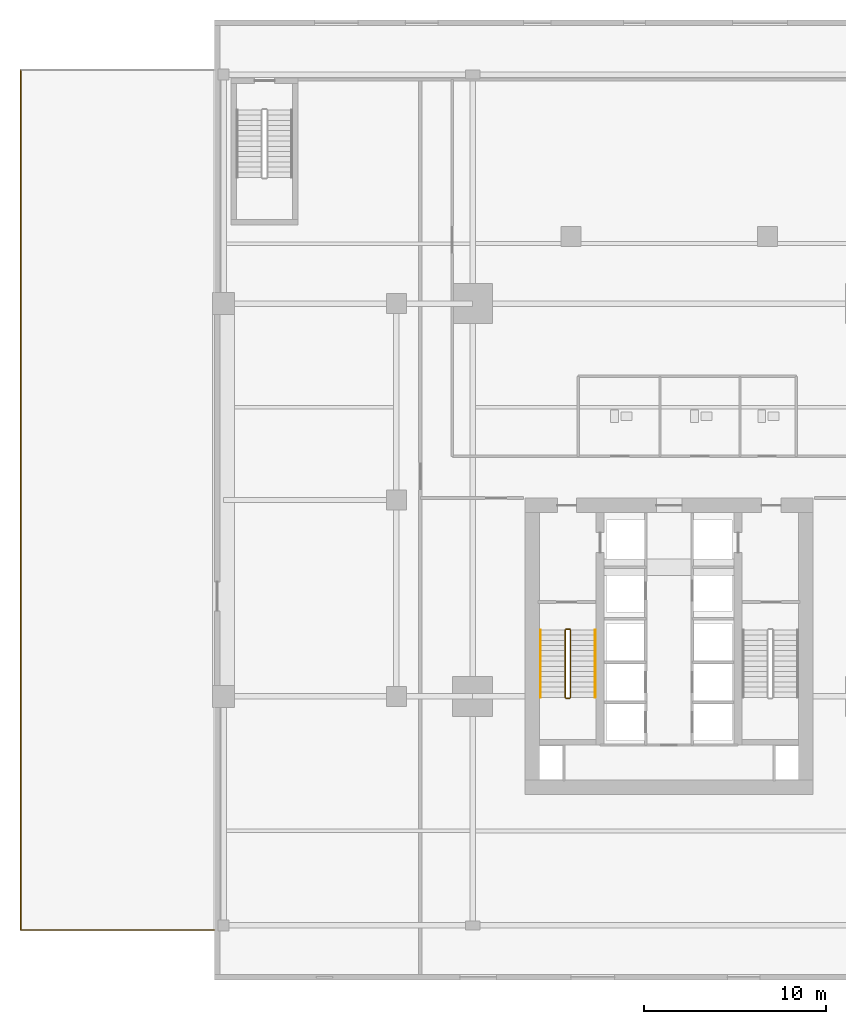
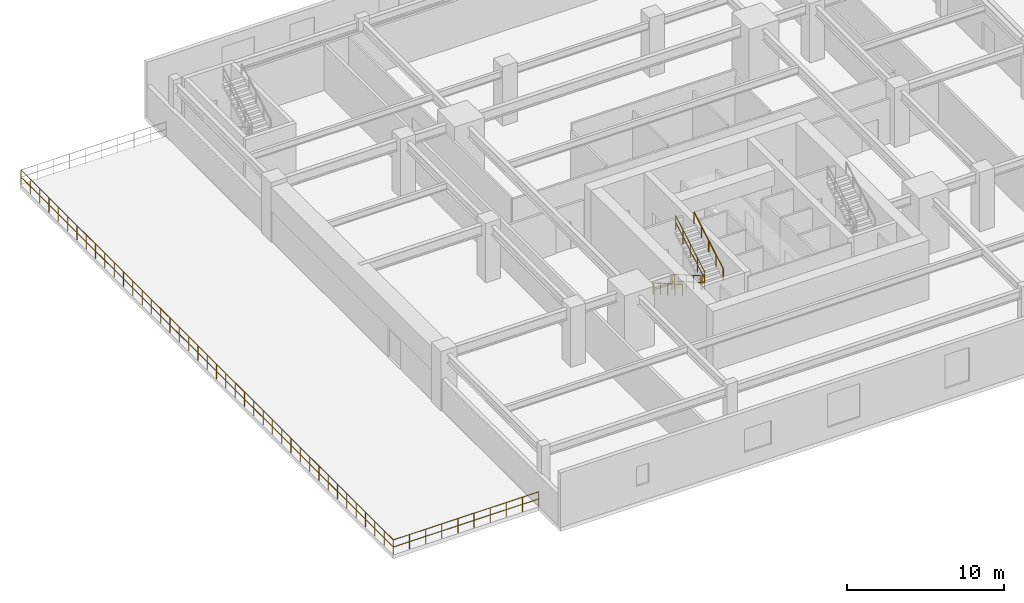
# One storey, part 5 of 9: 8 railings.
"""IFC4 building model written with IfcOpenShell, lengths in metres."""

from ifc_helpers import new_model, si_unit, direction, frame, origin, origin_2d, place, context, subcontext, project, spatial, circle, extrude, material, layer, layer_set, type_object, element, save


model = new_model("IFC4")

# Units and contexts
model_context = context("Model", 3, precision=1e-05, world=origin(), true_north=direction((0.0, 1.0)))
body_context = subcontext(model_context, "Body", "Model", "MODEL_VIEW")
ifc_project = project(units=[si_unit("LENGTHUNIT", "METRE"), si_unit("AREAUNIT", "SQUARE_METRE"), si_unit("VOLUMEUNIT", "CUBIC_METRE"), si_unit("PLANEANGLEUNIT", "RADIAN"), si_unit("MASSUNIT", "GRAM", prefix="KILO")], contexts=[model_context])

# Site, building, storey
site_placement = place(None, origin())
site = spatial("IfcSite", under=ifc_project, at=site_placement, CompositionType="ELEMENT")
building_placement = place(site_placement, origin())
building = spatial("IfcBuilding", under=site, at=building_placement, Name="Krantzveldt Concourse Tower", CompositionType="ELEMENT")
storey_placement = place(building_placement, frame((0.0, 0.0, 15.39990234375)))
storey = spatial("IfcBuildingStorey", under=building, at=storey_placement, Name="L03", CompositionType="ELEMENT", Elevation=15.39990234375)

# Railings
ifc_material = material(Name="Stainless steel 316L", Category="steel")
ifc_layer_1 = layer(ifc_material, 0.080078125, Name="Stainless steel 316L", Category="steel")
ifc_layer_set_1 = layer_set([ifc_layer_1], Name="Stainless steel 316L (RL-BALUSTRADE-1150)")
railing_type_1 = type_object("IfcRailingType", Name="RL-BALUSTRADE-1150", PredefinedType="BALUSTRADE", material=ifc_layer_set_1)
railing_1_placement = place(storey_placement, frame((11.0, 3.050048828125, 0.0)))
element("IfcRailing", 1, at=railing_1_placement, inside=storey, type_object=railing_type_1, Name="GD-L03-TW-01", PredefinedType="BALUSTRADE", context=body_context, shape_type="SweptSolid", body=[
    extrude(circle(Radius=0.02392578125, at=origin_2d()), frame((0.0, 0.0, 1.1259765625), z_axis=(-1.0, 0.0, 0.0), x_axis=(0.0, -1.0, 0.0)), (0.0, 0.0, 1.0), 10.64990234375),
    extrude(circle(Radius=0.02392578125, at=origin_2d()), frame((0.0, 0.0, 0.574951171875), z_axis=(-1.0, 0.0, 0.0), x_axis=(0.0, -1.0, 0.0)), (0.0, 0.0, 1.0), 10.64990234375),
    extrude(circle(Radius=0.02099609375, at=origin_2d()), origin(), (0.0, 0.0, 1.0), 1.101806640625),
    extrude(circle(Radius=0.02099609375, at=origin_2d()), frame((-1.183349609375, 0.0, 0.0)), (0.0, 0.0, 1.0), 1.101806640625),
    extrude(circle(Radius=0.02099609375, at=origin_2d()), frame((-2.36669921875, 0.0, 0.0)), (0.0, 0.0, 1.0), 1.101806640625),
    extrude(circle(Radius=0.02099609375, at=origin_2d()), frame((-3.550048828125, 0.0, 0.0)), (0.0, 0.0, 1.0), 1.101806640625),
    extrude(circle(Radius=0.02099609375, at=origin_2d()), frame((-4.7333984375, 0.0, 0.0)), (0.0, 0.0, 1.0), 1.101806640625),
    extrude(circle(Radius=0.02099609375, at=origin_2d()), frame((-5.91650390625, 0.0, 0.0)), (0.0, 0.0, 1.0), 1.101806640625),
    extrude(circle(Radius=0.02099609375, at=origin_2d()), frame((-7.099853515625, 0.0, 0.0)), (0.0, 0.0, 1.0), 1.101806640625),
    extrude(circle(Radius=0.02099609375, at=origin_2d()), frame((-8.283203125, 0.0, 0.0)), (0.0, 0.0, 1.0), 1.101806640625),
    extrude(circle(Radius=0.02099609375, at=origin_2d()), frame((-9.466552734375, 0.0, 0.0)), (0.0, 0.0, 1.0), 1.101806640625),
    extrude(circle(Radius=0.02099609375, at=origin_2d()), frame((-10.64990234375, 0.0, 0.0)), (0.0, 0.0, 1.0), 1.101806640625),
])
railing_2_placement = place(storey_placement, frame((0.35009765625, 3.050048828125, 0.0)))
element("IfcRailing", 2, at=railing_2_placement, inside=storey, type_object=railing_type_1, Name="GD-L03-TW-02", PredefinedType="BALUSTRADE", context=body_context, shape_type="SweptSolid", body=[
    extrude(circle(Radius=0.02392578125, at=origin_2d()), frame((0.0, 0.0, 1.1259765625), z_axis=(0.0, 1.0, 0.0), x_axis=(-1.0, 0.0, 0.0)), (0.0, 0.0, 1.0), 47.300048828125),
    extrude(circle(Radius=0.02392578125, at=origin_2d()), frame((0.0, 0.0, 0.574951171875), z_axis=(0.0, 1.0, 0.0), x_axis=(-1.0, 0.0, 0.0)), (0.0, 0.0, 1.0), 47.300048828125),
    extrude(circle(Radius=0.02099609375, at=origin_2d()), origin(), (0.0, 0.0, 1.0), 1.101806640625),
    extrude(circle(Radius=0.02099609375, at=origin_2d()), frame((0.0, 1.1826171875, 0.0)), (0.0, 0.0, 1.0), 1.101806640625),
    extrude(circle(Radius=0.02099609375, at=origin_2d()), frame((0.0, 2.364990234375, 0.0)), (0.0, 0.0, 1.0), 1.101806640625),
    extrude(circle(Radius=0.02099609375, at=origin_2d()), frame((0.0, 3.547607421875, 0.0)), (0.0, 0.0, 1.0), 1.101806640625),
    extrude(circle(Radius=0.02099609375, at=origin_2d()), frame((0.0, 4.72998046875, 0.0)), (0.0, 0.0, 1.0), 1.101806640625),
    extrude(circle(Radius=0.02099609375, at=origin_2d()), frame((0.0, 5.91259765625, 0.0)), (0.0, 0.0, 1.0), 1.101806640625),
    extrude(circle(Radius=0.02099609375, at=origin_2d()), frame((0.0, 7.094970703125, 0.0)), (0.0, 0.0, 1.0), 1.101806640625),
    extrude(circle(Radius=0.02099609375, at=origin_2d()), frame((0.0, 8.277587890625, 0.0)), (0.0, 0.0, 1.0), 1.101806640625),
    extrude(circle(Radius=0.02099609375, at=origin_2d()), frame((0.0, 9.4599609375, 0.0)), (0.0, 0.0, 1.0), 1.101806640625),
    extrude(circle(Radius=0.02099609375, at=origin_2d()), frame((0.0, 10.642578125, 0.0)), (0.0, 0.0, 1.0), 1.101806640625),
    extrude(circle(Radius=0.02099609375, at=origin_2d()), frame((0.0, 11.824951171875, 0.0)), (0.0, 0.0, 1.0), 1.101806640625),
    extrude(circle(Radius=0.02099609375, at=origin_2d()), frame((0.0, 13.007568359375, 0.0)), (0.0, 0.0, 1.0), 1.101806640625),
    extrude(circle(Radius=0.02099609375, at=origin_2d()), frame((0.0, 14.18994140625, 0.0)), (0.0, 0.0, 1.0), 1.101806640625),
    extrude(circle(Radius=0.02099609375, at=origin_2d()), frame((0.0, 15.37255859375, 0.0)), (0.0, 0.0, 1.0), 1.101806640625),
    extrude(circle(Radius=0.02099609375, at=origin_2d()), frame((0.0, 16.554931640625, 0.0)), (0.0, 0.0, 1.0), 1.101806640625),
    extrude(circle(Radius=0.02099609375, at=origin_2d()), frame((0.0, 17.737548828125, 0.0)), (0.0, 0.0, 1.0), 1.101806640625),
    extrude(circle(Radius=0.02099609375, at=origin_2d()), frame((0.0, 18.919921875, 0.0)), (0.0, 0.0, 1.0), 1.101806640625),
    extrude(circle(Radius=0.02099609375, at=origin_2d()), frame((0.0, 20.1025390625, 0.0)), (0.0, 0.0, 1.0), 1.101806640625),
    extrude(circle(Radius=0.02099609375, at=origin_2d()), frame((0.0, 21.284912109375, 0.0)), (0.0, 0.0, 1.0), 1.101806640625),
    extrude(circle(Radius=0.02099609375, at=origin_2d()), frame((0.0, 22.467529296875, 0.0)), (0.0, 0.0, 1.0), 1.101806640625),
    extrude(circle(Radius=0.02099609375, at=origin_2d()), frame((0.0, 23.64990234375, 0.0)), (0.0, 0.0, 1.0), 1.101806640625),
    extrude(circle(Radius=0.02099609375, at=origin_2d()), frame((0.0, 24.83251953125, 0.0)), (0.0, 0.0, 1.0), 1.101806640625),
    extrude(circle(Radius=0.02099609375, at=origin_2d()), frame((0.0, 26.01513671875, 0.0)), (0.0, 0.0, 1.0), 1.101806640625),
    extrude(circle(Radius=0.02099609375, at=origin_2d()), frame((0.0, 27.197509765625, 0.0)), (0.0, 0.0, 1.0), 1.101806640625),
    extrude(circle(Radius=0.02099609375, at=origin_2d()), frame((0.0, 28.380126953125, 0.0)), (0.0, 0.0, 1.0), 1.101806640625),
    extrude(circle(Radius=0.02099609375, at=origin_2d()), frame((0.0, 29.5625, 0.0)), (0.0, 0.0, 1.0), 1.101806640625),
    extrude(circle(Radius=0.02099609375, at=origin_2d()), frame((0.0, 30.7451171875, 0.0)), (0.0, 0.0, 1.0), 1.101806640625),
    extrude(circle(Radius=0.02099609375, at=origin_2d()), frame((0.0, 31.927490234375, 0.0)), (0.0, 0.0, 1.0), 1.101806640625),
    extrude(circle(Radius=0.02099609375, at=origin_2d()), frame((0.0, 33.110107421875, 0.0)), (0.0, 0.0, 1.0), 1.101806640625),
    extrude(circle(Radius=0.02099609375, at=origin_2d()), frame((0.0, 34.29248046875, 0.0)), (0.0, 0.0, 1.0), 1.101806640625),
    extrude(circle(Radius=0.02099609375, at=origin_2d()), frame((0.0, 35.47509765625, 0.0)), (0.0, 0.0, 1.0), 1.101806640625),
    extrude(circle(Radius=0.02099609375, at=origin_2d()), frame((0.0, 36.657470703125, 0.0)), (0.0, 0.0, 1.0), 1.101806640625),
    extrude(circle(Radius=0.02099609375, at=origin_2d()), frame((0.0, 37.840087890625, 0.0)), (0.0, 0.0, 1.0), 1.101806640625),
    extrude(circle(Radius=0.02099609375, at=origin_2d()), frame((0.0, 39.0224609375, 0.0)), (0.0, 0.0, 1.0), 1.101806640625),
    extrude(circle(Radius=0.02099609375, at=origin_2d()), frame((0.0, 40.205078125, 0.0)), (0.0, 0.0, 1.0), 1.101806640625),
    extrude(circle(Radius=0.02099609375, at=origin_2d()), frame((0.0, 41.387451171875, 0.0)), (0.0, 0.0, 1.0), 1.101806640625),
    extrude(circle(Radius=0.02099609375, at=origin_2d()), frame((0.0, 42.570068359375, 0.0)), (0.0, 0.0, 1.0), 1.101806640625),
    extrude(circle(Radius=0.02099609375, at=origin_2d()), frame((0.0, 43.75244140625, 0.0)), (0.0, 0.0, 1.0), 1.101806640625),
    extrude(circle(Radius=0.02099609375, at=origin_2d()), frame((0.0, 44.93505859375, 0.0)), (0.0, 0.0, 1.0), 1.101806640625),
    extrude(circle(Radius=0.02099609375, at=origin_2d()), frame((0.0, 46.117431640625, 0.0)), (0.0, 0.0, 1.0), 1.101806640625),
    extrude(circle(Radius=0.02099609375, at=origin_2d()), frame((0.0, 47.300048828125, 0.0)), (0.0, 0.0, 1.0), 1.101806640625),
])
ifc_layer_2 = layer(ifc_material, 0.06005859375, Name="Stainless steel 316L", Category="steel")
ifc_layer_set_2 = layer_set([ifc_layer_2], Name="Stainless steel 316L (RL-GUARD-1120)")
railing_type_2 = type_object("IfcRailingType", Name="RL-GUARD-1120", PredefinedType="GUARDRAIL", material=ifc_layer_set_2)
railing_3_placement = place(storey_placement, frame((30.280029296875, 19.550048828125, 0.164306640625)))
element("IfcRailing", 3, at=railing_3_placement, inside=storey, type_object=railing_type_2, Name="L03 ST-1 stair guard 1", PredefinedType="GUARDRAIL", context=body_context, shape_type="SweptSolid", body=[
    extrude(circle(Radius=0.02392578125, at=origin_2d()), frame((0.0, 0.0, 1.076171875), z_axis=(0.0, -0.866368007254, 0.499406123317), x_axis=(1.0, 0.0, 0.0)), (0.0, 0.0, 1.0), 4.276611328125),
    extrude(circle(Radius=0.02392578125, at=origin_2d()), frame((0.0, 0.0, 0.550048828125), z_axis=(0.0, -0.866368007254, 0.499406123317), x_axis=(1.0, 0.0, 0.0)), (0.0, 0.0, 1.0), 4.276611328125),
    extrude(circle(Radius=0.02099609375, at=origin_2d()), origin(), (0.0, 0.0, 1.0), 1.052001953125),
    extrude(circle(Radius=0.02099609375, at=origin_2d()), frame((0.0, -0.92626953125, 0.533935546875)), (0.0, 0.0, 1.0), 1.052001953125),
    extrude(circle(Radius=0.02099609375, at=origin_2d()), frame((0.0, -1.8525390625, 1.06787109375)), (0.0, 0.0, 1.0), 1.052001953125),
    extrude(circle(Radius=0.02099609375, at=origin_2d()), frame((0.0, -2.77880859375, 1.601806640625)), (0.0, 0.0, 1.0), 1.052001953125),
    extrude(circle(Radius=0.02099609375, at=origin_2d()), frame((0.0, -3.705078125, 2.1357421875)), (0.0, 0.0, 1.0), 1.052001953125),
])
railing_4_placement = place(storey_placement, frame((30.330078125, 15.794921875, 2.300048828125)))
element("IfcRailing", 4, at=railing_4_placement, inside=storey, type_object=railing_type_2, Name="L03 ST-1 stair guard 2", PredefinedType="GUARDRAIL", context=body_context, shape_type="SweptSolid", body=[
    extrude(circle(Radius=0.02392578125, at=origin_2d()), frame((0.0, 0.0, 1.076171875), z_axis=(1.0, 0.0, 0.0), x_axis=(0.0, 1.0, 0.0)), (0.0, 0.0, 1.0), 0.199951171875),
    extrude(circle(Radius=0.02392578125, at=origin_2d()), frame((0.0, 0.0, 0.550048828125), z_axis=(1.0, 0.0, 0.0), x_axis=(0.0, 1.0, 0.0)), (0.0, 0.0, 1.0), 0.199951171875),
    extrude(circle(Radius=0.02099609375, at=origin_2d()), origin(), (0.0, 0.0, 1.0), 1.052001953125),
    extrude(circle(Radius=0.02099609375, at=origin_2d()), frame((0.199951171875, 0.0, 0.0)), (0.0, 0.0, 1.0), 1.052001953125),
])
railing_5_placement = place(storey_placement, frame((30.580078125, 15.844970703125, 2.46435546875)))
element("IfcRailing", 5, at=railing_5_placement, inside=storey, type_object=railing_type_2, Name="L03 ST-1 stair guard 3", PredefinedType="GUARDRAIL", context=body_context, shape_type="SweptSolid", body=[
    extrude(circle(Radius=0.02392578125, at=origin_2d()), frame((0.0, 0.0, 1.076171875), z_axis=(0.0, 0.866368007254, 0.499406123317), x_axis=(-1.0, 0.0, 0.0)), (0.0, 0.0, 1.0), 4.276611328125),
    extrude(circle(Radius=0.02392578125, at=origin_2d()), frame((0.0, 0.0, 0.550048828125), z_axis=(0.0, 0.866368007254, 0.499406123317), x_axis=(-1.0, 0.0, 0.0)), (0.0, 0.0, 1.0), 4.276611328125),
    extrude(circle(Radius=0.02099609375, at=origin_2d()), origin(), (0.0, 0.0, 1.0), 1.052001953125),
    extrude(circle(Radius=0.02099609375, at=origin_2d()), frame((0.0, 0.92626953125, 0.533935546875)), (0.0, 0.0, 1.0), 1.052001953125),
    extrude(circle(Radius=0.02099609375, at=origin_2d()), frame((0.0, 1.8525390625, 1.06787109375)), (0.0, 0.0, 1.0), 1.052001953125),
    extrude(circle(Radius=0.02099609375, at=origin_2d()), frame((0.0, 2.77880859375, 1.601806640625)), (0.0, 0.0, 1.0), 1.052001953125),
    extrude(circle(Radius=0.02099609375, at=origin_2d()), frame((0.0, 3.705078125, 2.1357421875)), (0.0, 0.0, 1.0), 1.052001953125),
])
railing_6_placement = place(storey_placement, frame((30.330078125, 19.60009765625, 0.0)))
element("IfcRailing", 6, at=railing_6_placement, inside=storey, type_object=railing_type_2, Name="L03 ST-1 stair guard 4", PredefinedType="GUARDRAIL", context=body_context, shape_type="SweptSolid", body=[
    extrude(circle(Radius=0.02392578125, at=origin_2d()), frame((0.0, 0.0, 1.076171875), z_axis=(1.0, 0.0, 0.0), x_axis=(0.0, 1.0, 0.0)), (0.0, 0.0, 1.0), 0.199951171875),
    extrude(circle(Radius=0.02392578125, at=origin_2d()), frame((0.0, 0.0, 0.550048828125), z_axis=(1.0, 0.0, 0.0), x_axis=(0.0, 1.0, 0.0)), (0.0, 0.0, 1.0), 0.199951171875),
    extrude(circle(Radius=0.02099609375, at=origin_2d()), origin(), (0.0, 0.0, 1.0), 1.052001953125),
    extrude(circle(Radius=0.02099609375, at=origin_2d()), frame((0.199951171875, 0.0, 0.0)), (0.0, 0.0, 1.0), 1.052001953125),
])
ifc_layer_3 = layer(ifc_material, 0.050048828125, Name="Stainless steel 316L", Category="steel")
ifc_layer_set_3 = layer_set([ifc_layer_3], Name="Stainless steel 316L (RL-HANDRAIL-920)")
railing_type_3 = type_object("IfcRailingType", Name="RL-HANDRAIL-920", PredefinedType="HANDRAIL", material=ifc_layer_set_3)
railing_7_placement = place(storey_placement, frame((28.929931640625, 19.550048828125, 0.164306640625)))
element("IfcRailing", 7, at=railing_7_placement, inside=storey, type_object=railing_type_3, Name="L03 ST-1 stair handrail 1", PredefinedType="HANDRAIL", context=body_context, shape_type="SweptSolid", body=[
    extrude(circle(Radius=0.02392578125, at=origin_2d()), frame((0.0, 0.0, 0.8759765625), z_axis=(0.0, -0.866368007254, 0.499406123317), x_axis=(1.0, 0.0, 0.0)), (0.0, 0.0, 1.0), 4.276611328125),
    extrude(circle(Radius=0.02099609375, at=origin_2d()), origin(), (0.0, 0.0, 1.0), 0.851806640625),
    extrude(circle(Radius=0.02099609375, at=origin_2d()), frame((0.0, -0.92626953125, 0.533935546875)), (0.0, 0.0, 1.0), 0.851806640625),
    extrude(circle(Radius=0.02099609375, at=origin_2d()), frame((0.0, -1.8525390625, 1.06787109375)), (0.0, 0.0, 1.0), 0.851806640625),
    extrude(circle(Radius=0.02099609375, at=origin_2d()), frame((0.0, -2.77880859375, 1.601806640625)), (0.0, 0.0, 1.0), 0.851806640625),
    extrude(circle(Radius=0.02099609375, at=origin_2d()), frame((0.0, -3.705078125, 2.1357421875)), (0.0, 0.0, 1.0), 0.851806640625),
])
railing_8_placement = place(storey_placement, frame((31.929931640625, 15.844970703125, 2.46435546875)))
element("IfcRailing", 8, at=railing_8_placement, inside=storey, type_object=railing_type_3, Name="L03 ST-1 stair handrail 2", PredefinedType="HANDRAIL", context=body_context, shape_type="SweptSolid", body=[
    extrude(circle(Radius=0.02392578125, at=origin_2d()), frame((0.0, 0.0, 0.8759765625), z_axis=(0.0, 0.866368007254, 0.499406123317), x_axis=(-1.0, 0.0, 0.0)), (0.0, 0.0, 1.0), 4.276611328125),
    extrude(circle(Radius=0.02099609375, at=origin_2d()), origin(), (0.0, 0.0, 1.0), 0.851806640625),
    extrude(circle(Radius=0.02099609375, at=origin_2d()), frame((0.0, 0.92626953125, 0.533935546875)), (0.0, 0.0, 1.0), 0.851806640625),
    extrude(circle(Radius=0.02099609375, at=origin_2d()), frame((0.0, 1.8525390625, 1.06787109375)), (0.0, 0.0, 1.0), 0.851806640625),
    extrude(circle(Radius=0.02099609375, at=origin_2d()), frame((0.0, 2.77880859375, 1.601806640625)), (0.0, 0.0, 1.0), 0.851806640625),
    extrude(circle(Radius=0.02099609375, at=origin_2d()), frame((0.0, 3.705078125, 2.1357421875)), (0.0, 0.0, 1.0), 0.851806640625),
])

save(model, "model.ifc")
